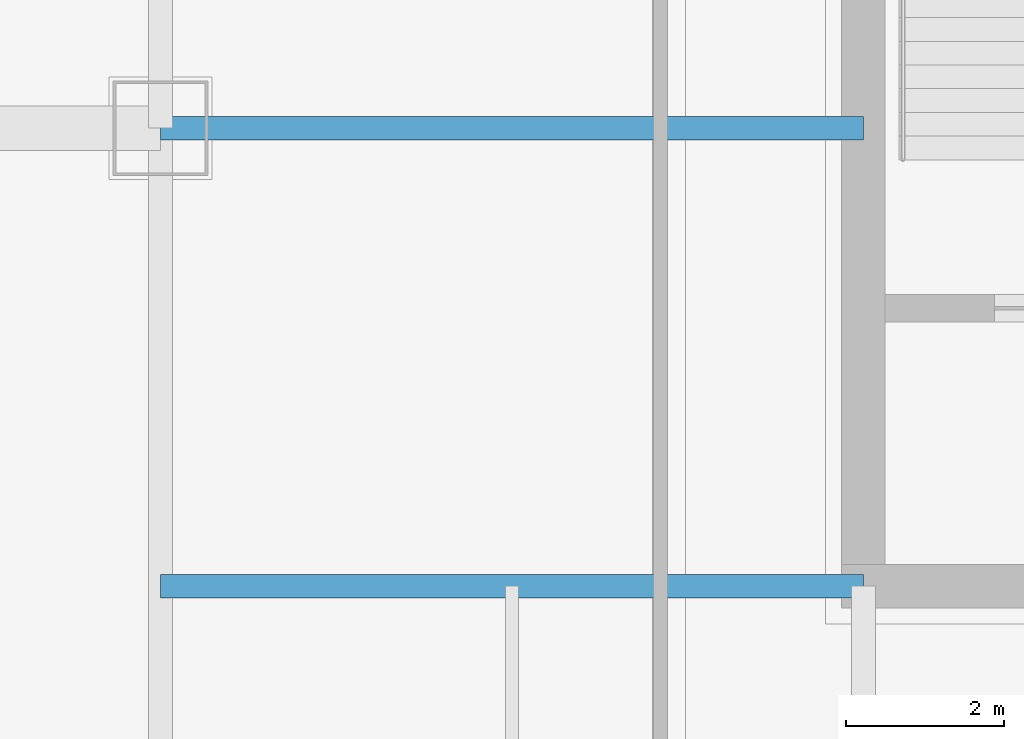
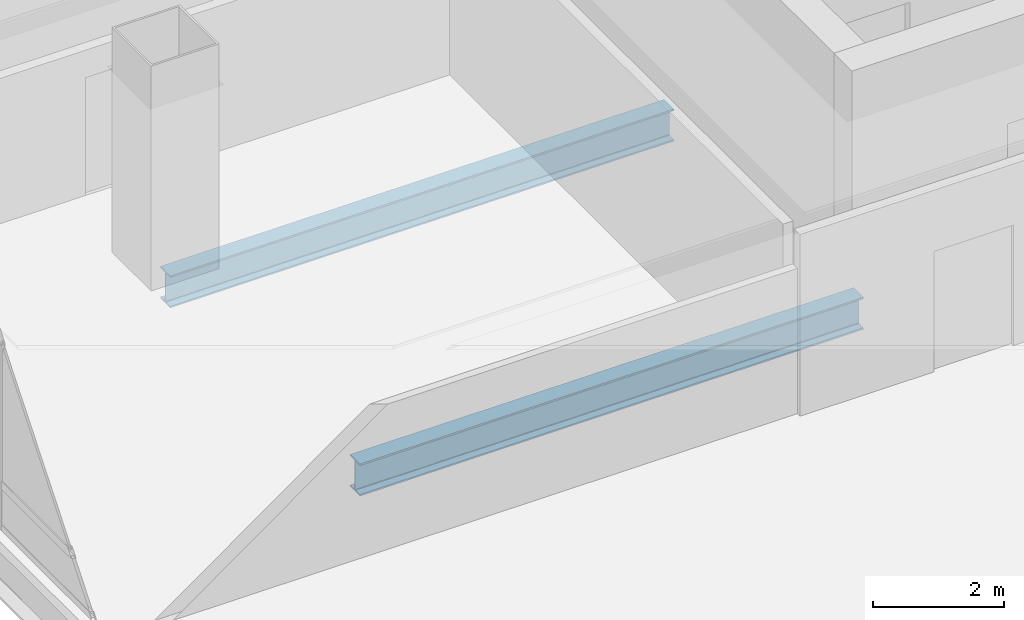
# One storey, part 7 of 43: 2 beams.
"""IFC4 building model written with IfcOpenShell, lengths in metres."""

from ifc_helpers import new_model, si_unit, direction, frame, origin, origin_2d, place, context, subcontext, project, spatial, i_section, extrude, material, material_profile, profile_set, type_object, element, save


model = new_model("IFC4")

# Units and contexts
model_context = context("Model", 3, precision=1e-05, world=origin(), true_north=direction((0.0, 1.0)))
body_context = subcontext(model_context, "Body", "Model", "MODEL_VIEW")
ifc_project = project(units=[si_unit("LENGTHUNIT", "METRE"), si_unit("AREAUNIT", "SQUARE_METRE"), si_unit("VOLUMEUNIT", "CUBIC_METRE"), si_unit("PLANEANGLEUNIT", "RADIAN"), si_unit("MASSUNIT", "GRAM", prefix="KILO")], contexts=[model_context])

# Site, building, storey
site_placement = place(None, origin())
site = spatial("IfcSite", under=ifc_project, at=site_placement, CompositionType="ELEMENT")
building_placement = place(site_placement, origin())
building = spatial("IfcBuilding", under=site, at=building_placement, Name="Punatoya Terracotta Tower", CompositionType="ELEMENT")
storey_placement = place(building_placement, frame((0.0, 0.0, 300.60009765625)))
storey = spatial("IfcBuildingStorey", under=building, at=storey_placement, Name="L71", CompositionType="ELEMENT", Elevation=300.60009765625)

# Beams
ifc_material = material(Name="Steel S355", Category="steel")
ifc_material_profile = material_profile(ifc_material, i_section(OverallWidth=0.300048828125, OverallDepth=0.60009765625, WebThickness=0.015380859375, FlangeThickness=0.030029296875, FilletRadius=0.01806640625, at=origin_2d()))
ifc_profile_set = profile_set([ifc_material_profile], Name="Steel S355")
beam_type = type_object("IfcBeamType", Name="BM-PRI-600", PredefinedType="BEAM", material=ifc_profile_set)
for number, where, z_axis, x_axis, name in (
    (1, (-19.10009765625, -9.199951171875, -0.5), (1.0, 0.0, 0.0), (0.0, 1.0, 0.0), "BM-L71-PR-WS"),
    (2, (-19.10009765625, -3.39990234375, -0.5), (1.0, 0.0, 0.0), (0.0, 1.0, 0.0), "BM-L71-PR-WD"),
):
    element("IfcBeam", number, at=place(storey_placement, frame(where, z_axis=z_axis, x_axis=x_axis)), inside=storey, type_object=beam_type, Name=name, PredefinedType="BEAM", context=body_context, shape_type="SweptSolid", body=[
        extrude(i_section(OverallWidth=0.300048828125, OverallDepth=0.60009765625, WebThickness=0.015380859375, FlangeThickness=0.030029296875, FilletRadius=0.01806640625, at=origin_2d()), origin(), (0.0, 0.0, 1.0), 8.900146484375),
    ])

save(model, "model.ifc")
